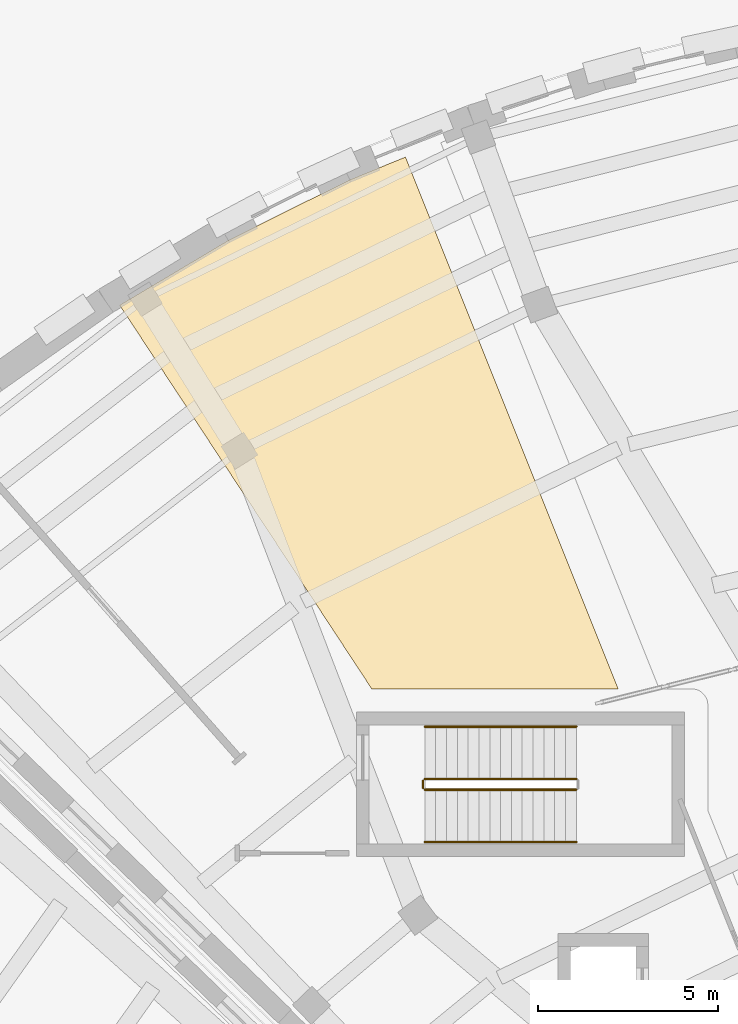
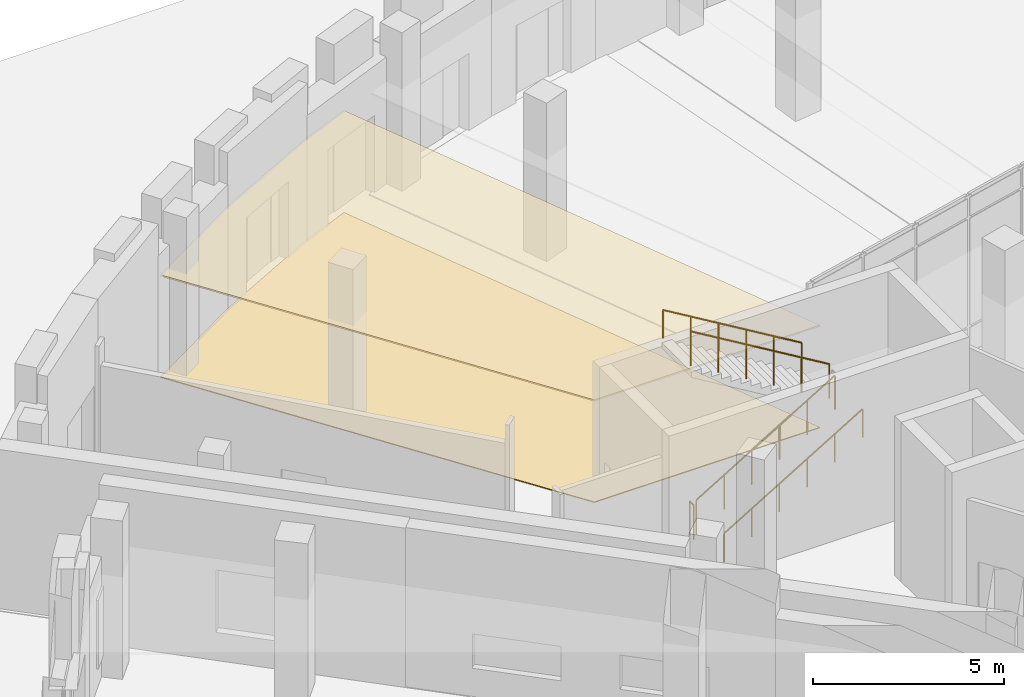
# One storey, part 66 of 74: 5 railings, 2 coverings.
"""IFC4 building model written with IfcOpenShell, lengths in metres."""

from ifc_helpers import new_model, si_unit, direction, frame, origin, origin_2d, place, context, subcontext, project, spatial, polyline, circle, outline, extrude, material, layer, layer_set, type_object, element, save


model = new_model("IFC4")

# Units and contexts
model_context = context("Model", 3, precision=1e-05, world=origin(), true_north=direction((0.0, 1.0)))
body_context = subcontext(model_context, "Body", "Model", "MODEL_VIEW")
ifc_project = project(units=[si_unit("LENGTHUNIT", "METRE"), si_unit("AREAUNIT", "SQUARE_METRE"), si_unit("VOLUMEUNIT", "CUBIC_METRE"), si_unit("PLANEANGLEUNIT", "RADIAN"), si_unit("MASSUNIT", "GRAM", prefix="KILO")], contexts=[model_context])

# Site, building, storey
site_placement = place(None, origin())
site = spatial("IfcSite", under=ifc_project, at=site_placement, CompositionType="ELEMENT")
building_placement = place(site_placement, origin())
building = spatial("IfcBuilding", under=site, at=building_placement, Name="Soyqirgoq Riverine Aquarium", CompositionType="ELEMENT")
storey_placement = place(building_placement, origin())
storey = spatial("IfcBuildingStorey", under=building, at=storey_placement, Name="L01", CompositionType="ELEMENT", Elevation=0.0)

# Covering
ifc_material_1 = material(Name="Perforated mineral-fibre acoustic ceiling", Category="gypsum")
ifc_layer_1 = layer(ifc_material_1, 0.050048828125)
ifc_layer_set_1 = layer_set([ifc_layer_1], Name="Perforated mineral-fibre acoustic ceiling")
covering_type_1 = type_object("IfcCoveringType", Name="AcousticBaffleCeiling_50", PredefinedType="CEILING", material=ifc_layer_set_1)
covering_1_placement = place(storey_placement, frame((0.0, 0.0, 3.25)))
element("IfcCovering", 1, at=covering_1_placement, inside=storey, type_object=covering_type_1, Name="Indo-Pacific Lagoon Hall Suspended Ceiling", PredefinedType="CEILING", context=body_context, shape_type="SweptSolid", body=[
    extrude(outline(polyline([(32.0869140625, 100.739013671875), (35.4599609375, 102.4208984375), (37.009033203125, 103.052001953125), (42.909912109375, 88.300048828125), (36.073974609375, 88.300048828125), (29.0810546875, 98.945068359375), (32.0869140625, 100.739013671875)])), origin(), (0.0, 0.0, 1.0), 0.050048828125),
])

# Railings
ifc_material_2 = material(Name="Brushed stainless steel 316L tubular handrail", Category="steel")
railing_type_1 = type_object("IfcRailingType", Name="StairPitchHandrail_920", PredefinedType="HANDRAIL", material=ifc_material_2)
railing_1_placement = place(storey_placement, frame((37.550048828125, 84.050048828125, 0.179931640625)))
element("IfcRailing", 2, at=railing_1_placement, inside=storey, type_object=railing_type_1, Name="L01 ST-4 stair handrail 1", PredefinedType="HANDRAIL", context=body_context, shape_type="SweptSolid", body=[
    extrude(circle(Radius=0.02392578125, at=origin_2d()), frame((0.0, 0.0, 0.89990234375), z_axis=(0.857488527567, 0.0, 0.514503085598), x_axis=(0.0, 1.0, 0.0)), (0.0, 0.0, 1.0), 4.89794921875),
    extrude(circle(Radius=0.02099609375, at=origin_2d()), origin(), (0.0, 0.0, 1.0), 0.875732421875),
    extrude(circle(Radius=0.02099609375, at=origin_2d()), frame((0.840087890625, 0.0, 0.50390625)), (0.0, 0.0, 1.0), 0.875732421875),
    extrude(circle(Radius=0.02099609375, at=origin_2d()), frame((1.679931640625, 0.0, 1.008056640625)), (0.0, 0.0, 1.0), 0.875732421875),
    extrude(circle(Radius=0.02099609375, at=origin_2d()), frame((2.52001953125, 0.0, 1.511962890625)), (0.0, 0.0, 1.0), 0.875732421875),
    extrude(circle(Radius=0.02099609375, at=origin_2d()), frame((3.35986328125, 0.0, 2.01611328125)), (0.0, 0.0, 1.0), 0.875732421875),
    extrude(circle(Radius=0.02099609375, at=origin_2d()), frame((4.199951171875, 0.0, 2.52001953125)), (0.0, 0.0, 1.0), 0.875732421875),
])
railing_2_placement = place(storey_placement, frame((41.75, 87.25, 2.8798828125)))
element("IfcRailing", 3, at=railing_2_placement, inside=storey, type_object=railing_type_1, Name="L01 ST-4 stair handrail 2", PredefinedType="HANDRAIL", context=body_context, shape_type="SweptSolid", body=[
    extrude(circle(Radius=0.02392578125, at=origin_2d()), frame((0.0, 0.0, 0.89990234375), z_axis=(-0.857488527567, 0.0, 0.514503085598), x_axis=(0.0, -1.0, 0.0)), (0.0, 0.0, 1.0), 4.89794921875),
    extrude(circle(Radius=0.02099609375, at=origin_2d()), origin(), (0.0, 0.0, 1.0), 0.875732421875),
    extrude(circle(Radius=0.02099609375, at=origin_2d()), frame((-0.840087890625, 0.0, 0.50390625)), (0.0, 0.0, 1.0), 0.875732421875),
    extrude(circle(Radius=0.02099609375, at=origin_2d()), frame((-1.679931640625, 0.0, 1.008056640625)), (0.0, 0.0, 1.0), 0.875732421875),
    extrude(circle(Radius=0.02099609375, at=origin_2d()), frame((-2.52001953125, 0.0, 1.511962890625)), (0.0, 0.0, 1.0), 0.875732421875),
    extrude(circle(Radius=0.02099609375, at=origin_2d()), frame((-3.35986328125, 0.0, 2.01611328125)), (0.0, 0.0, 1.0), 0.875732421875),
    extrude(circle(Radius=0.02099609375, at=origin_2d()), frame((-4.199951171875, 0.0, 2.52001953125)), (0.0, 0.0, 1.0), 0.875732421875),
])
ifc_material_3 = material(Name="Painted steel infill stair-well guardrail", Category="steel")
railing_type_2 = type_object("IfcRailingType", Name="StairWellGuard_1120", PredefinedType="GUARDRAIL", material=ifc_material_3)
railing_3_placement = place(storey_placement, frame((37.550048828125, 85.5, 0.179931640625)))
element("IfcRailing", 4, at=railing_3_placement, inside=storey, type_object=railing_type_2, Name="L01 ST-4 stair guard 1", PredefinedType="GUARDRAIL", context=body_context, shape_type="SweptSolid", body=[
    extrude(circle(Radius=0.02392578125, at=origin_2d()), frame((0.0, 0.0, 1.09619140625), z_axis=(0.857488527567, 0.0, 0.514503085598), x_axis=(0.0, 1.0, 0.0)), (0.0, 0.0, 1.0), 4.89794921875),
    extrude(circle(Radius=0.02099609375, at=origin_2d()), origin(), (0.0, 0.0, 1.0), 1.072021484375),
    extrude(circle(Radius=0.02099609375, at=origin_2d()), frame((0.840087890625, 0.0, 0.50390625)), (0.0, 0.0, 1.0), 1.072021484375),
    extrude(circle(Radius=0.02099609375, at=origin_2d()), frame((1.679931640625, 0.0, 1.008056640625)), (0.0, 0.0, 1.0), 1.072021484375),
    extrude(circle(Radius=0.02099609375, at=origin_2d()), frame((2.52001953125, 0.0, 1.511962890625)), (0.0, 0.0, 1.0), 1.072021484375),
    extrude(circle(Radius=0.02099609375, at=origin_2d()), frame((3.35986328125, 0.0, 2.01611328125)), (0.0, 0.0, 1.0), 1.072021484375),
    extrude(circle(Radius=0.02099609375, at=origin_2d()), frame((4.199951171875, 0.0, 2.52001953125)), (0.0, 0.0, 1.0), 1.072021484375),
])
railing_4_placement = place(storey_placement, frame((41.75, 85.800048828125, 2.8798828125)))
element("IfcRailing", 5, at=railing_4_placement, inside=storey, type_object=railing_type_2, Name="L01 ST-4 stair guard 3", PredefinedType="GUARDRAIL", context=body_context, shape_type="SweptSolid", body=[
    extrude(circle(Radius=0.02392578125, at=origin_2d()), frame((0.0, 0.0, 1.09619140625), z_axis=(-0.857488527567, 0.0, 0.514503085598), x_axis=(0.0, -1.0, 0.0)), (0.0, 0.0, 1.0), 4.89794921875),
    extrude(circle(Radius=0.02099609375, at=origin_2d()), origin(), (0.0, 0.0, 1.0), 1.072021484375),
    extrude(circle(Radius=0.02099609375, at=origin_2d()), frame((-0.840087890625, 0.0, 0.50390625)), (0.0, 0.0, 1.0), 1.072021484375),
    extrude(circle(Radius=0.02099609375, at=origin_2d()), frame((-1.679931640625, 0.0, 1.008056640625)), (0.0, 0.0, 1.0), 1.072021484375),
    extrude(circle(Radius=0.02099609375, at=origin_2d()), frame((-2.52001953125, 0.0, 1.511962890625)), (0.0, 0.0, 1.0), 1.072021484375),
    extrude(circle(Radius=0.02099609375, at=origin_2d()), frame((-3.35986328125, 0.0, 2.01611328125)), (0.0, 0.0, 1.0), 1.072021484375),
    extrude(circle(Radius=0.02099609375, at=origin_2d()), frame((-4.199951171875, 0.0, 2.52001953125)), (0.0, 0.0, 1.0), 1.072021484375),
])
railing_5_placement = place(storey_placement, frame((37.5, 85.550048828125, 0.0)))
element("IfcRailing", 6, at=railing_5_placement, inside=storey, type_object=railing_type_2, Name="L01 ST-4 stair guard 4", PredefinedType="GUARDRAIL", context=body_context, shape_type="SweptSolid", body=[
    extrude(circle(Radius=0.02392578125, at=origin_2d()), frame((0.0, 0.0, 1.09619140625), z_axis=(0.0, 1.0, 0.0), x_axis=(-1.0, 0.0, 0.0)), (0.0, 0.0, 1.0), 0.199951171875),
    extrude(circle(Radius=0.02099609375, at=origin_2d()), origin(), (0.0, 0.0, 1.0), 1.072021484375),
    extrude(circle(Radius=0.02099609375, at=origin_2d()), frame((0.0, 0.199951171875, 0.0)), (0.0, 0.0, 1.0), 1.072021484375),
])

# Covering
ifc_material_4 = material(Name="Polished Chirchiq river-pebble terrazzo flooring", Category="concrete")
ifc_layer_2 = layer(ifc_material_4, 0.030029296875)
ifc_layer_set_2 = layer_set([ifc_layer_2], Name="Polished Chirchiq river-pebble terrazzo flooring")
covering_type_2 = type_object("IfcCoveringType", Name="TerrazzoFloorFinish_30", PredefinedType="FLOORING", material=ifc_layer_set_2)
covering_2_placement = place(storey_placement, origin())
element("IfcCovering", 7, at=covering_2_placement, inside=storey, type_object=covering_type_2, Name="Indo-Pacific Lagoon Hall Floor Finish", PredefinedType="FLOORING", context=body_context, shape_type="SweptSolid", body=[
    extrude(outline(polyline([(32.0869140625, 100.739013671875), (35.4599609375, 102.4208984375), (37.009033203125, 103.052001953125), (42.909912109375, 88.300048828125), (36.073974609375, 88.300048828125), (29.0810546875, 98.945068359375), (32.0869140625, 100.739013671875)])), origin(), (0.0, 0.0, 1.0), 0.030029296875),
])

save(model, "model.ifc")
